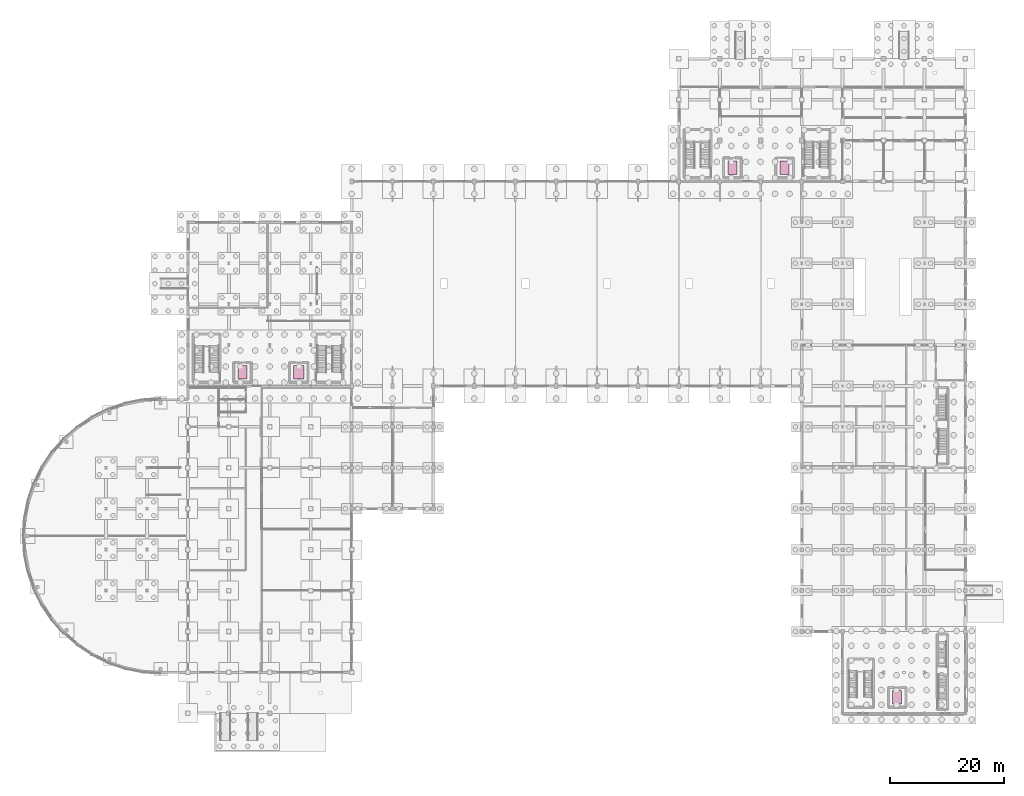
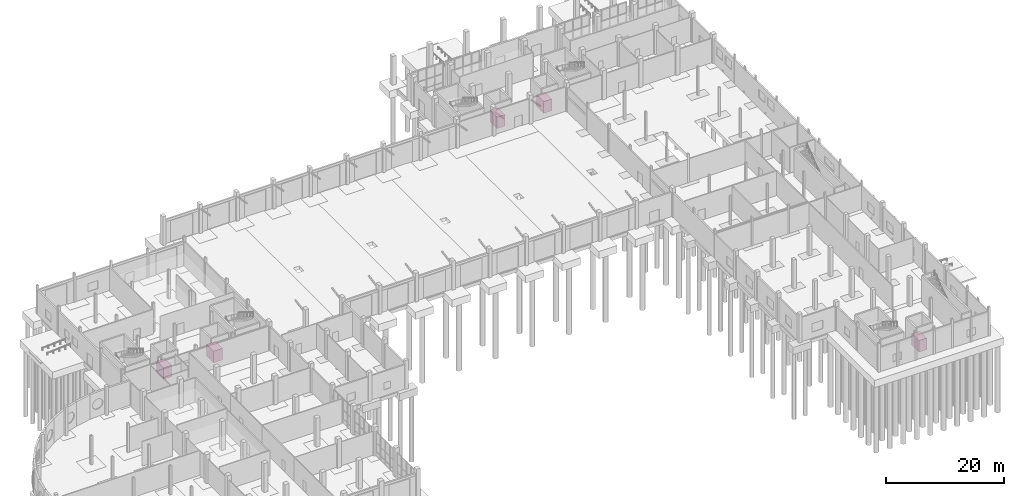
# One storey, part 45 of 45: 5 transport elements.
"""IFC4 building model written with IfcOpenShell, lengths in metres."""

import ifcopenshell
import ifcopenshell.guid

model = None  # the IFC model being written
_history = None  # IfcOwnerHistory: only IFC2X3 demands one
_inside = {}  # id of a spatial element -> (the spatial element, [elements in it])
_under = {}  # id of a project, library or spatial element -> (it, [spatial elements below it])
_declared = {}  # id of a project -> (the project, [libraries it declares])
_typed = {}  # id of a type object -> (the type object, [elements of that type])
_made_of = {}  # id of a material, layer set ... -> (it, [elements and type objects made of it])


def new_model(schema):
    """Start an empty IFC model of exactly this schema.

    Asked for "IFC4X3", IfcOpenShell would pick the latest addendum, in which some entities
    have other attributes; the version numbers below select the first issue.
    IFC2X3 requires an IfcOwnerHistory on every rooted entity: one is made here for all.
    """
    global model, _history
    if schema == "IFC4X3":
        model = ifcopenshell.file(schema_version=(4, 3, 0, 0))
    else:
        model = ifcopenshell.file(schema=schema)
    _inside.clear()
    _under.clear()
    _declared.clear()
    _typed.clear()
    _made_of.clear()
    _history = None
    if model.schema == "IFC2X3":
        org = make("IfcOrganization", Name="unknown")
        user = make(
            "IfcPersonAndOrganization",
            ThePerson=make("IfcPerson", FamilyName="unknown"),
            TheOrganization=org,
        )
        app = make(
            "IfcApplication",
            ApplicationDeveloper=org,
            Version="unknown",
            ApplicationFullName="unknown",
            ApplicationIdentifier="unknown",
        )
        _history = make(
            "IfcOwnerHistory",
            OwningUser=user,
            OwningApplication=app,
            ChangeAction="ADDED",
            CreationDate=0,
        )
    return model


def make(cls, **values):
    """One entity of the class cls with the attributes given. An attribute that is None is left unset."""
    return model.create_entity(
        cls, **{name: value for name, value in values.items() if value is not None}
    )


def rooted(cls, **values):
    """An entity with a GlobalId (a new one), such as an element, a storey or a relation."""
    return make(cls, GlobalId=ifcopenshell.guid.new(), OwnerHistory=_history, **values)


def si_unit(unit_type, name, prefix=None):
    """IfcSIUnit, for example si_unit("LENGTHUNIT", "METRE", prefix="MILLI")."""
    return make("IfcSIUnit", UnitType=unit_type, Prefix=prefix, Name=name)


def assignment(units):
    """IfcUnitAssignment: the units of a project."""
    return None if units is None else make("IfcUnitAssignment", Units=units)


def point(xyz):
    """IfcCartesianPoint."""
    return None if xyz is None else make("IfcCartesianPoint", Coordinates=xyz)


def direction(xyz):
    """IfcDirection."""
    return None if xyz is None else make("IfcDirection", DirectionRatios=xyz)


def frame(location, z_axis=None, x_axis=None):
    """IfcAxis2Placement3D, a coordinate frame: its origin and axes. An axis left out is left unset."""
    return make(
        "IfcAxis2Placement3D",
        Location=point(location),
        Axis=direction(z_axis),
        RefDirection=direction(x_axis),
    )


def frame_2d(location, x_axis=None):
    """IfcAxis2Placement2D, a coordinate frame in the plane: its origin and x axis."""
    return make(
        "IfcAxis2Placement2D", Location=point(location), RefDirection=direction(x_axis)
    )


def origin():
    """The frame at (0, 0, 0) with its axes left unset."""
    return frame((0.0, 0.0, 0.0))


def origin_2d():
    """The frame at (0, 0) in the plane with its x axis left unset."""
    return frame_2d((0.0, 0.0))


def place(relative_to, where):
    """IfcLocalPlacement: puts the frame where relative to a parent placement (None: the world)."""
    return make(
        "IfcLocalPlacement", PlacementRelTo=relative_to, RelativePlacement=where
    )


def context(
    kind, dimensions, precision=None, world=None, true_north=None, identifier=None
):
    """IfcGeometricRepresentationContext, for example the 3D "Model" context."""
    return make(
        "IfcGeometricRepresentationContext",
        ContextIdentifier=identifier,
        ContextType=kind,
        CoordinateSpaceDimension=dimensions,
        Precision=precision,
        WorldCoordinateSystem=world,
        TrueNorth=true_north,
    )


def subcontext(parent, identifier, kind, view, scale=None):
    """IfcGeometricRepresentationSubContext, for example "Body" below "Model"."""
    return make(
        "IfcGeometricRepresentationSubContext",
        ContextIdentifier=identifier,
        ContextType=kind,
        ParentContext=parent,
        TargetScale=scale,
        TargetView=view,
    )


def project(units=None, contexts=None):
    """IfcProject with its units and contexts."""
    return rooted(
        "IfcProject",
        Name="project",
        RepresentationContexts=contexts,
        UnitsInContext=assignment(units),
    )


def spatial(cls, under=None, at=None, **own):
    """A site, building, storey or space (cls), placed at a placement, below another one or the project."""
    s = rooted(cls, ObjectPlacement=at, **own)
    if under is not None:
        _under.setdefault(under.id(), (under, []))[1].append(s)
    return s


def profile(cls, at=None, kind="AREA", **sizes):
    """A parametric profile (cls). Its sizes go by their IFC names, for example OverallWidth=200.0."""
    return make(cls, ProfileType=kind, Position=at, **sizes)


def rectangle(**sizes):
    """IfcRectangleProfileDef."""
    return profile("IfcRectangleProfileDef", **sizes)


def extrude(swept, where, along, depth):
    """IfcExtrudedAreaSolid: the profile swept, set in the frame where, extruded along a direction by depth."""
    return make(
        "IfcExtrudedAreaSolid",
        SweptArea=swept,
        Position=where,
        ExtrudedDirection=direction(along),
        Depth=depth,
    )


def shape(context_of_items, identifier, shape_type, items):
    """IfcShapeRepresentation: the items that make up one representation, for example the "Body"."""
    return make(
        "IfcShapeRepresentation",
        ContextOfItems=context_of_items,
        RepresentationIdentifier=identifier,
        RepresentationType=shape_type,
        Items=items,
    )


def material(Name=None, Category=None):
    """IfcMaterial."""
    return make("IfcMaterial", Name=Name, Category=Category)


def made_of(thing, what):
    """Note that an element or type object is made of a material, layer set ...; save() writes the relation."""
    if what is not None:
        _made_of.setdefault(what.id(), (what, []))[1].append(thing)
    return thing


def type_object(cls, material=None, **own):
    """A type object (cls), such as IfcWallType, which elements share."""
    return made_of(rooted(cls, **own), material)


def element(
    cls,
    number,
    at=None,
    inside=None,
    cuts=None,
    type_object=None,
    material=None,
    context=None,
    identifier="Body",
    shape_type=None,
    held_by="IfcProductDefinitionShape",
    body=None,
    shapes=None,
    **own,
):
    """One element of the class cls, such as IfcWall. Its Tag is "e" and its number.

    at: its placement. inside: the storey or other place that contains it. cuts: it is an
    opening in that element (IfcRelVoidsElement). A single representation is given by context,
    identifier, shape_type and body (its items); several are given by shapes. held_by: the class
    of the entity that holds the representations. save() writes the other relations.
    """
    e = rooted(cls, Tag="e%d" % number, ObjectPlacement=at, **own)
    if body is not None:
        shapes = [shape(context, identifier, shape_type, body)]
    if shapes is not None:
        e.Representation = make(held_by, Representations=shapes)
    if inside is not None:
        _inside.setdefault(inside.id(), (inside, []))[1].append(e)
    if cuts is not None:
        rooted(
            "IfcRelVoidsElement", RelatingBuildingElement=cuts, RelatedOpeningElement=e
        )
    if type_object is not None:
        _typed.setdefault(type_object.id(), (type_object, []))[1].append(e)
    return made_of(e, material)


def aggregate(whole, parts):
    """IfcRelAggregates: a whole, such as a stair, and the parts it consists of."""
    return rooted("IfcRelAggregates", RelatingObject=whole, RelatedObjects=parts)


def save(model, path):
    """Write the relations noted so far, then the file.

    IfcRelAggregates (storeys below a building ...), IfcRelContainedInSpatialStructure (elements
    in a storey), IfcRelDefinesByType, IfcRelAssociatesMaterial and IfcRelDeclares: one each for
    every whole, place, type object, material and project.
    """
    for whole, parts in _under.values():
        aggregate(whole, parts)
    for where, things in _inside.values():
        rooted(
            "IfcRelContainedInSpatialStructure",
            RelatedElements=things,
            RelatingStructure=where,
        )
    for kind, things in _typed.values():
        rooted("IfcRelDefinesByType", RelatedObjects=things, RelatingType=kind)
    for what, things in _made_of.values():
        rooted("IfcRelAssociatesMaterial", RelatedObjects=things, RelatingMaterial=what)
    for by, libraries in _declared.values():
        rooted("IfcRelDeclares", RelatingContext=by, RelatedDefinitions=libraries)
    model.write(path)


model = new_model("IFC4")

# Units and contexts
model_context = context("Model", 3, precision=1e-05, world=origin(), true_north=direction((0.0, 1.0)))
body_context = subcontext(model_context, "Body", "Model", "MODEL_VIEW")
ifc_project = project(units=[si_unit("LENGTHUNIT", "METRE"), si_unit("AREAUNIT", "SQUARE_METRE"), si_unit("VOLUMEUNIT", "CUBIC_METRE"), si_unit("PLANEANGLEUNIT", "RADIAN"), si_unit("MASSUNIT", "GRAM", prefix="KILO")], contexts=[model_context])

# Site, building, storey
site_placement = place(None, origin())
site = spatial("IfcSite", under=ifc_project, at=site_placement, CompositionType="ELEMENT")
building_placement = place(site_placement, origin())
building = spatial("IfcBuilding", under=site, at=building_placement, Name="Yarey Park Central Fire Station", CompositionType="ELEMENT")
storey_placement = place(building_placement, origin())
storey = spatial("IfcBuildingStorey", under=building, at=storey_placement, Name="L01", CompositionType="ELEMENT", Elevation=0.0)

# Transport elements
ifc_material = material(Name="Stainless Steel AISI 316L", Category="steel")
transport_element_type_1 = type_object("IfcTransportElementType", Name="INT_LIFT_1600", PredefinedType="ELEVATOR", material=ifc_material)
for number, where, z_axis, x_axis, name in (
    (1, (124.60009765625, 96.0, 0.0), (0.0, 0.0, 1.0), (1.0, 0.0, 0.0), "Passenger Stretcher Lift LF-1"),
    (2, (133.800048828125, 96.0, 0.0), (0.0, 0.0, 1.0), (1.0, 0.0, 0.0), "Passenger Stretcher Lift LF-2"),
    (3, (38.39990234375, 60.0, 0.0), (0.0, 0.0, 1.0), (1.0, 0.0, 0.0), "Passenger Stretcher Lift LF-3"),
    (4, (153.60009765625, 2.800048828125, 0.0), (0.0, 0.0, 1.0), (1.0, 0.0, 0.0), "Passenger Stretcher Lift LF-5"),
):
    element("IfcTransportElement", number, at=place(storey_placement, frame(where, z_axis=z_axis, x_axis=x_axis)), inside=storey, type_object=transport_element_type_1, Name=name, PredefinedType="ELEVATOR", context=body_context, shape_type="SweptSolid", body=[
        extrude(rectangle(XDim=1.60009765625, YDim=2.39990234375, at=origin_2d()), origin(), (0.0, 0.0, 1.0), 2.39990234375),
    ])
transport_element_type_2 = type_object("IfcTransportElementType", Name="INT_LIFT_2000", PredefinedType="ELEVATOR", material=ifc_material)
transport_element_placement = place(storey_placement, frame((48.300048828125, 60.0, 0.0), z_axis=(0.0, 0.0, 1.0), x_axis=(1.0, 0.0, 0.0)))
element("IfcTransportElement", 5, at=transport_element_placement, inside=storey, type_object=transport_element_type_2, Name="Equipment Lift LF-4", PredefinedType="ELEVATOR", context=body_context, shape_type="SweptSolid", body=[
    extrude(rectangle(XDim=1.800048828125, YDim=2.39990234375, at=origin_2d()), origin(), (0.0, 0.0, 1.0), 2.39990234375),
])

save(model, "model.ifc")
